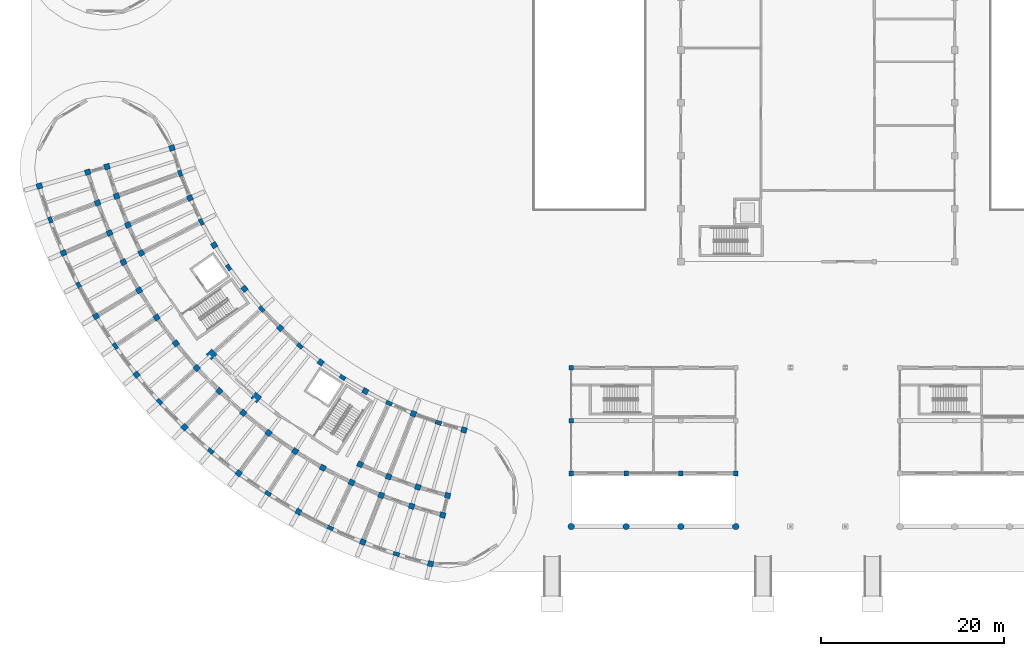
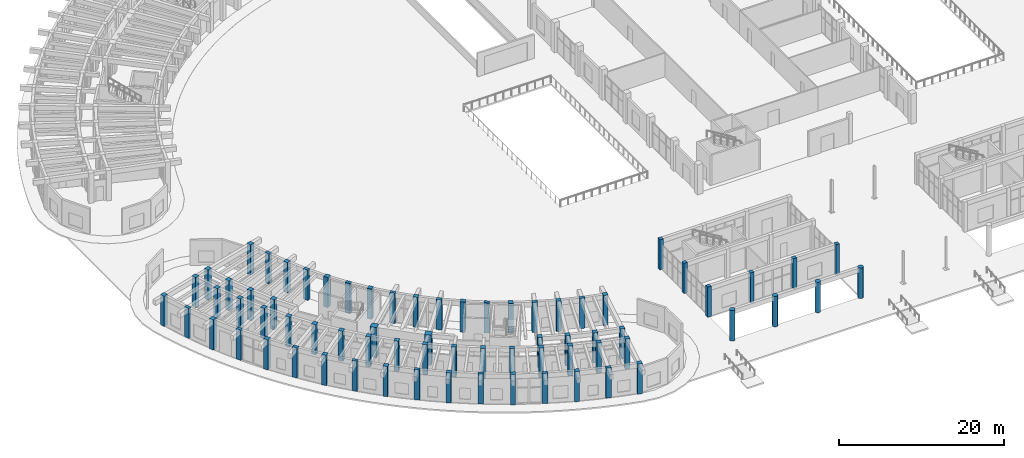
# One storey, part 1 of 132: 71 columns.
"""IFC4 building model written with IfcOpenShell, lengths in metres."""

import ifcopenshell
import ifcopenshell.guid

model = None  # the IFC model being written
_history = None  # IfcOwnerHistory: only IFC2X3 demands one
_inside = {}  # id of a spatial element -> (the spatial element, [elements in it])
_under = {}  # id of a project, library or spatial element -> (it, [spatial elements below it])
_declared = {}  # id of a project -> (the project, [libraries it declares])
_typed = {}  # id of a type object -> (the type object, [elements of that type])
_made_of = {}  # id of a material, layer set ... -> (it, [elements and type objects made of it])


def new_model(schema):
    """Start an empty IFC model of exactly this schema.

    Asked for "IFC4X3", IfcOpenShell would pick the latest addendum, in which some entities
    have other attributes; the version numbers below select the first issue.
    IFC2X3 requires an IfcOwnerHistory on every rooted entity: one is made here for all.
    """
    global model, _history
    if schema == "IFC4X3":
        model = ifcopenshell.file(schema_version=(4, 3, 0, 0))
    else:
        model = ifcopenshell.file(schema=schema)
    _inside.clear()
    _under.clear()
    _declared.clear()
    _typed.clear()
    _made_of.clear()
    _history = None
    if model.schema == "IFC2X3":
        org = make("IfcOrganization", Name="unknown")
        user = make(
            "IfcPersonAndOrganization",
            ThePerson=make("IfcPerson", FamilyName="unknown"),
            TheOrganization=org,
        )
        app = make(
            "IfcApplication",
            ApplicationDeveloper=org,
            Version="unknown",
            ApplicationFullName="unknown",
            ApplicationIdentifier="unknown",
        )
        _history = make(
            "IfcOwnerHistory",
            OwningUser=user,
            OwningApplication=app,
            ChangeAction="ADDED",
            CreationDate=0,
        )
    return model


def make(cls, **values):
    """One entity of the class cls with the attributes given. An attribute that is None is left unset."""
    return model.create_entity(
        cls, **{name: value for name, value in values.items() if value is not None}
    )


def rooted(cls, **values):
    """An entity with a GlobalId (a new one), such as an element, a storey or a relation."""
    return make(cls, GlobalId=ifcopenshell.guid.new(), OwnerHistory=_history, **values)


def si_unit(unit_type, name, prefix=None):
    """IfcSIUnit, for example si_unit("LENGTHUNIT", "METRE", prefix="MILLI")."""
    return make("IfcSIUnit", UnitType=unit_type, Prefix=prefix, Name=name)


def assignment(units):
    """IfcUnitAssignment: the units of a project."""
    return None if units is None else make("IfcUnitAssignment", Units=units)


def point(xyz):
    """IfcCartesianPoint."""
    return None if xyz is None else make("IfcCartesianPoint", Coordinates=xyz)


def direction(xyz):
    """IfcDirection."""
    return None if xyz is None else make("IfcDirection", DirectionRatios=xyz)


def frame(location, z_axis=None, x_axis=None):
    """IfcAxis2Placement3D, a coordinate frame: its origin and axes. An axis left out is left unset."""
    return make(
        "IfcAxis2Placement3D",
        Location=point(location),
        Axis=direction(z_axis),
        RefDirection=direction(x_axis),
    )


def frame_2d(location, x_axis=None):
    """IfcAxis2Placement2D, a coordinate frame in the plane: its origin and x axis."""
    return make(
        "IfcAxis2Placement2D", Location=point(location), RefDirection=direction(x_axis)
    )


def origin():
    """The frame at (0, 0, 0) with its axes left unset."""
    return frame((0.0, 0.0, 0.0))


def origin_2d():
    """The frame at (0, 0) in the plane with its x axis left unset."""
    return frame_2d((0.0, 0.0))


def place(relative_to, where):
    """IfcLocalPlacement: puts the frame where relative to a parent placement (None: the world)."""
    return make(
        "IfcLocalPlacement", PlacementRelTo=relative_to, RelativePlacement=where
    )


def context(
    kind, dimensions, precision=None, world=None, true_north=None, identifier=None
):
    """IfcGeometricRepresentationContext, for example the 3D "Model" context."""
    return make(
        "IfcGeometricRepresentationContext",
        ContextIdentifier=identifier,
        ContextType=kind,
        CoordinateSpaceDimension=dimensions,
        Precision=precision,
        WorldCoordinateSystem=world,
        TrueNorth=true_north,
    )


def subcontext(parent, identifier, kind, view, scale=None):
    """IfcGeometricRepresentationSubContext, for example "Body" below "Model"."""
    return make(
        "IfcGeometricRepresentationSubContext",
        ContextIdentifier=identifier,
        ContextType=kind,
        ParentContext=parent,
        TargetScale=scale,
        TargetView=view,
    )


def project(units=None, contexts=None):
    """IfcProject with its units and contexts."""
    return rooted(
        "IfcProject",
        Name="project",
        RepresentationContexts=contexts,
        UnitsInContext=assignment(units),
    )


def spatial(cls, under=None, at=None, **own):
    """A site, building, storey or space (cls), placed at a placement, below another one or the project."""
    s = rooted(cls, ObjectPlacement=at, **own)
    if under is not None:
        _under.setdefault(under.id(), (under, []))[1].append(s)
    return s


def profile(cls, at=None, kind="AREA", **sizes):
    """A parametric profile (cls). Its sizes go by their IFC names, for example OverallWidth=200.0."""
    return make(cls, ProfileType=kind, Position=at, **sizes)


def rectangle(**sizes):
    """IfcRectangleProfileDef."""
    return profile("IfcRectangleProfileDef", **sizes)


def circle(**sizes):
    """IfcCircleProfileDef."""
    return profile("IfcCircleProfileDef", **sizes)


def extrude(swept, where, along, depth):
    """IfcExtrudedAreaSolid: the profile swept, set in the frame where, extruded along a direction by depth."""
    return make(
        "IfcExtrudedAreaSolid",
        SweptArea=swept,
        Position=where,
        ExtrudedDirection=direction(along),
        Depth=depth,
    )


def shape(context_of_items, identifier, shape_type, items):
    """IfcShapeRepresentation: the items that make up one representation, for example the "Body"."""
    return make(
        "IfcShapeRepresentation",
        ContextOfItems=context_of_items,
        RepresentationIdentifier=identifier,
        RepresentationType=shape_type,
        Items=items,
    )


def material(Name=None, Category=None):
    """IfcMaterial."""
    return make("IfcMaterial", Name=Name, Category=Category)


def material_profile(
    of_material, cross_section, Name=None, Category=None, Priority=None
):
    """IfcMaterialProfile: a cross section and its material."""
    return make(
        "IfcMaterialProfile",
        Name=Name,
        Material=of_material,
        Profile=cross_section,
        Priority=Priority,
        Category=Category,
    )


def profile_set(profiles, Name=None, composite=None):
    """IfcMaterialProfileSet."""
    return make(
        "IfcMaterialProfileSet",
        Name=Name,
        MaterialProfiles=profiles,
        CompositeProfile=composite,
    )


def made_of(thing, what):
    """Note that an element or type object is made of a material, layer set ...; save() writes the relation."""
    if what is not None:
        _made_of.setdefault(what.id(), (what, []))[1].append(thing)
    return thing


def type_object(cls, material=None, **own):
    """A type object (cls), such as IfcWallType, which elements share."""
    return made_of(rooted(cls, **own), material)


def element(
    cls,
    number,
    at=None,
    inside=None,
    cuts=None,
    type_object=None,
    material=None,
    context=None,
    identifier="Body",
    shape_type=None,
    held_by="IfcProductDefinitionShape",
    body=None,
    shapes=None,
    **own,
):
    """One element of the class cls, such as IfcWall. Its Tag is "e" and its number.

    at: its placement. inside: the storey or other place that contains it. cuts: it is an
    opening in that element (IfcRelVoidsElement). A single representation is given by context,
    identifier, shape_type and body (its items); several are given by shapes. held_by: the class
    of the entity that holds the representations. save() writes the other relations.
    """
    e = rooted(cls, Tag="e%d" % number, ObjectPlacement=at, **own)
    if body is not None:
        shapes = [shape(context, identifier, shape_type, body)]
    if shapes is not None:
        e.Representation = make(held_by, Representations=shapes)
    if inside is not None:
        _inside.setdefault(inside.id(), (inside, []))[1].append(e)
    if cuts is not None:
        rooted(
            "IfcRelVoidsElement", RelatingBuildingElement=cuts, RelatedOpeningElement=e
        )
    if type_object is not None:
        _typed.setdefault(type_object.id(), (type_object, []))[1].append(e)
    return made_of(e, material)


def aggregate(whole, parts):
    """IfcRelAggregates: a whole, such as a stair, and the parts it consists of."""
    return rooted("IfcRelAggregates", RelatingObject=whole, RelatedObjects=parts)


def save(model, path):
    """Write the relations noted so far, then the file.

    IfcRelAggregates (storeys below a building ...), IfcRelContainedInSpatialStructure (elements
    in a storey), IfcRelDefinesByType, IfcRelAssociatesMaterial and IfcRelDeclares: one each for
    every whole, place, type object, material and project.
    """
    for whole, parts in _under.values():
        aggregate(whole, parts)
    for where, things in _inside.values():
        rooted(
            "IfcRelContainedInSpatialStructure",
            RelatedElements=things,
            RelatingStructure=where,
        )
    for kind, things in _typed.values():
        rooted("IfcRelDefinesByType", RelatedObjects=things, RelatingType=kind)
    for what, things in _made_of.values():
        rooted("IfcRelAssociatesMaterial", RelatedObjects=things, RelatingMaterial=what)
    for by, libraries in _declared.values():
        rooted("IfcRelDeclares", RelatingContext=by, RelatedDefinitions=libraries)
    model.write(path)


model = new_model("IFC4")

# Units and contexts
model_context = context("Model", 3, precision=1e-05, world=origin(), true_north=direction((0.0, 1.0)))
body_context = subcontext(model_context, "Body", "Model", "MODEL_VIEW")
ifc_project = project(units=[si_unit("LENGTHUNIT", "METRE"), si_unit("AREAUNIT", "SQUARE_METRE"), si_unit("VOLUMEUNIT", "CUBIC_METRE"), si_unit("PLANEANGLEUNIT", "RADIAN"), si_unit("MASSUNIT", "GRAM", prefix="KILO")], contexts=[model_context])

# Site, building, storey
site_placement = place(None, origin())
site = spatial("IfcSite", under=ifc_project, at=site_placement, CompositionType="ELEMENT")
building_placement = place(site_placement, origin())
building = spatial("IfcBuilding", under=site, at=building_placement, Name="Tanwirah Colonnade Gardens", CompositionType="ELEMENT")
storey_placement = place(building_placement, origin())
storey = spatial("IfcBuildingStorey", under=building, at=storey_placement, Name="L00", CompositionType="ELEMENT", Elevation=0.0)

# Columns
ifc_material_1 = material(Name="Precast concrete C40/50", Category="concrete")
ifc_material_profile_1 = material_profile(ifc_material_1, rectangle(XDim=0.5, YDim=0.5, at=origin_2d()), Name="PC-COL 500x500")
ifc_profile_set_1 = profile_set([ifc_material_profile_1], Name="Precast concrete C40/50")
column_type_1 = type_object("IfcColumnType", Name="C-PC500", PredefinedType="COLUMN", material=ifc_profile_set_1)
for number, where, z_axis, x_axis, name in (
    (1, (66.0, 16.60009765625, 0.0), (0.0, 0.0, 1.0), (1.0, 0.0, 0.0), "Boulevard Shops W L00 Column 0.1"),
    (2, (66.0, 22.39990234375, 0.0), (0.0, 0.0, 1.0), (1.0, 0.0, 0.0), "Boulevard Shops W L00 Column 0.2"),
    (3, (66.0, 28.199951171875, 0.0), (0.0, 0.0, 1.0), (1.0, 0.0, 0.0), "Boulevard Shops W L00 Column 0.3"),
    (4, (72.0, 16.60009765625, 0.0), (0.0, 0.0, 1.0), (1.0, 0.0, 0.0), "Boulevard Shops W L00 Column 1.1"),
    (5, (78.0, 16.60009765625, 0.0), (0.0, 0.0, 1.0), (1.0, 0.0, 0.0), "Boulevard Shops W L00 Column 2.1"),
    (6, (84.0, 16.60009765625, 0.0), (0.0, 0.0, 1.0), (1.0, 0.0, 0.0), "Boulevard Shops W L00 Column 3.1"),
):
    element("IfcColumn", number, at=place(storey_placement, frame(where, z_axis=z_axis, x_axis=x_axis)), inside=storey, type_object=column_type_1, Name=name, PredefinedType="COLUMN", context=body_context, shape_type="SweptSolid", body=[
        extrude(rectangle(XDim=0.5, YDim=0.5, at=origin_2d()), origin(), (0.0, 0.0, 1.0), 4.489990234375),
    ])
ifc_material_2 = material(Name="Precast concrete C45/55", Category="concrete")
ifc_material_profile_2 = material_profile(ifc_material_2, rectangle(XDim=0.610107421875, YDim=0.610107421875, at=origin_2d()), Name="PC-COL 610x610")
ifc_profile_set_2 = profile_set([ifc_material_profile_2], Name="Precast concrete C45/55")
column_type_2 = type_object("IfcColumnType", Name="C-PC580", PredefinedType="COLUMN", material=ifc_profile_set_2)
for number, where, z_axis, x_axis, name in (
    (7, (22.27197265625, 52.247802734375, 0.0), (0.0, 0.0, 1.0), (-0.961261695938, -0.275637355817, 0.0), "Block C L00 Column 0-R0"),
    (8, (15.15869140625, 50.208251953125, 0.0), (0.0, 0.0, 1.0), (-0.961261695938, -0.275637355817, 0.0), "Block C L00 Column 0-R1"),
    (9, (13.043701171875, 49.601806640625, 0.0), (0.0, 0.0, 1.0), (-0.961261695938, -0.275637355817, 0.0), "Block C L00 Column 0-R2"),
    (10, (7.7568359375, 48.085693359375, 0.0), (0.0, 0.0, 1.0), (-0.961261695938, -0.275637355817, 0.0), "Block C L00 Column 0-R3"),
    (11, (16.199951171875, 46.97900390625, 0.0), (0.0, 0.0, 1.0), (-0.941176015256, -0.337916718003, 0.0), "Block C L00 Column 1-R1"),
    (12, (14.12939453125, 46.235595703125, 0.0), (0.0, 0.0, 1.0), (-0.941176015256, -0.337916718003, 0.0), "Block C L00 Column 1-R2"),
    (13, (24.236572265625, 46.775634765625, 0.0), (0.0, 0.0, 1.0), (-0.917060074385, -0.398749068925, 0.0), "Block C L00 Column 2-R0"),
    (14, (17.450439453125, 43.824951171875, 0.0), (0.0, 0.0, 1.0), (-0.917060074385, -0.398749068925, 0.0), "Block C L00 Column 2-R1"),
    (15, (15.432861328125, 42.947509765625, 0.0), (0.0, 0.0, 1.0), (-0.917060074385, -0.398749068925, 0.0), "Block C L00 Column 2-R2"),
    (16, (10.38916015625, 40.75439453125, 0.0), (0.0, 0.0, 1.0), (-0.917060074385, -0.398749068925, 0.0), "Block C L00 Column 2-R3"),
    (17, (18.904541015625, 40.75927734375, 0.0), (0.0, 0.0, 1.0), (-0.889017141486, -0.457873915117, 0.0), "Block C L00 Column 3-R1"),
    (18, (16.94873046875, 39.751953125, 0.0), (0.0, 0.0, 1.0), (-0.889017141486, -0.457873915117, 0.0), "Block C L00 Column 3-R2"),
    (19, (26.89892578125, 41.6064453125, 0.0), (0.0, 0.0, 1.0), (-0.857167300702, -0.51503807491, 0.0), "Block C L00 Column 4-R0"),
    (20, (18.670166015625, 36.662109375, 0.0), (0.0, 0.0, 1.0), (-0.857167300702, -0.51503807491, 0.0), "Block C L00 Column 4-R2"),
    (21, (13.95556640625, 33.82958984375, 0.0), (0.0, 0.0, 1.0), (-0.857167300702, -0.51503807491, 0.0), "Block C L00 Column 4-R3"),
    (22, (20.590087890625, 33.691650390625, 0.0), (0.0, 0.0, 1.0), (-0.821646937942, -0.569996762596, 0.0), "Block C L00 Column 5-R2"),
    (23, (30.213134765625, 36.829345703125, 0.0), (0.0, 0.0, 1.0), (-0.782608156852, -0.622514636638, 0.0), "Block C L00 Column 6-R0"),
    (24, (22.699951171875, 30.85302734375, 0.0), (0.0, 0.0, 1.0), (-0.782608156852, -0.622514636638, 0.0), "Block C L00 Column 6-R2"),
    (25, (18.395751953125, 27.42919921875, 0.0), (0.0, 0.0, 1.0), (-0.782608156852, -0.622514636638, 0.0), "Block C L00 Column 6-R3"),
    (26, (24.9912109375, 28.15869140625, 0.0), (0.0, 0.0, 1.0), (-0.740218127487, -0.672366807435, 0.0), "Block C L00 Column 7-R2"),
    (27, (34.122314453125, 32.525390625, 0.0), (0.0, 0.0, 1.0), (-0.694658370459, -0.719339800339, 0.0), "Block C L00 Column 8-R0"),
    (28, (27.45361328125, 25.61962890625, 0.0), (0.0, 0.0, 1.0), (-0.694658370459, -0.719339800339, 0.0), "Block C L00 Column 8-R2"),
    (29, (23.633056640625, 21.663330078125, 0.0), (0.0, 0.0, 1.0), (-0.694658370459, -0.719339800339, 0.0), "Block C L00 Column 8-R3"),
    (30, (30.076904296875, 23.247314453125, 0.0), (0.0, 0.0, 1.0), (-0.646123979643, -0.763232469783, 0.0), "Block C L00 Column 9-R2"),
    (31, (38.56005859375, 28.7685546875, 0.0), (0.0, 0.0, 1.0), (-0.594822786751, -0.803856860617, 0.0), "Block C L00 Column 10-R0"),
    (32, (32.849853515625, 21.051513671875, 0.0), (0.0, 0.0, 1.0), (-0.594822786751, -0.803856860617, 0.0), "Block C L00 Column 10-R2"),
    (33, (29.578369140625, 16.63037109375, 0.0), (0.0, 0.0, 1.0), (-0.594822786751, -0.803856860617, 0.0), "Block C L00 Column 10-R3"),
    (34, (35.76025390625, 19.041748046875, 0.0), (0.0, 0.0, 1.0), (-0.540974471368, -0.841039012964, 0.0), "Block C L00 Column 11-R2"),
    (35, (43.4501953125, 25.623046875, 0.0), (0.0, 0.0, 1.0), (-0.484809620246, -0.874619707139, 0.0), "Block C L00 Column 12-R0"),
    (36, (38.796142578125, 17.226806640625, 0.0), (0.0, 0.0, 1.0), (-0.484809620246, -0.874619707139, 0.0), "Block C L00 Column 12-R2"),
    (37, (36.129638671875, 12.41650390625, 0.0), (0.0, 0.0, 1.0), (-0.484809620246, -0.874619707139, 0.0), "Block C L00 Column 12-R3"),
    (38, (42.88232421875, 17.60400390625, 0.0), (0.0, 0.0, 1.0), (-0.426568739901, -0.904455145454, 0.0), "Block C L00 Column 13-R1"),
    (39, (41.94384765625, 15.6142578125, 0.0), (0.0, 0.0, 1.0), (-0.426568739901, -0.904455145454, 0.0), "Block C L00 Column 13-R2"),
    (40, (48.708984375, 23.142822265625, 0.0), (0.0, 0.0, 1.0), (-0.366501226724, -0.930417567982, 0.0), "Block C L00 Column 14-R0"),
    (41, (45.996826171875, 16.2578125, 0.0), (0.0, 0.0, 1.0), (-0.366501226724, -0.930417567982, 0.0), "Block C L00 Column 14-R1"),
    (42, (45.190673828125, 14.2109375, 0.0), (0.0, 0.0, 1.0), (-0.366501226724, -0.930417567982, 0.0), "Block C L00 Column 14-R2"),
    (43, (43.1748046875, 9.09375, 0.0), (0.0, 0.0, 1.0), (-0.366501226724, -0.930417567982, 0.0), "Block C L00 Column 14-R3"),
    (44, (49.19287109375, 15.1181640625, 0.0), (0.0, 0.0, 1.0), (-0.304864299028, -0.952395799643, 0.0), "Block C L00 Column 15-R1"),
    (45, (48.52197265625, 13.02294921875, 0.0), (0.0, 0.0, 1.0), (-0.304864299028, -0.952395799643, 0.0), "Block C L00 Column 15-R2"),
    (46, (54.24658203125, 21.370361328125, 0.0), (0.0, 0.0, 1.0), (-0.2419218956, -0.970295726276, 0.0), "Block C L00 Column 16-R0"),
    (47, (52.456298828125, 14.190185546875, 0.0), (0.0, 0.0, 1.0), (-0.2419218956, -0.970295726276, 0.0), "Block C L00 Column 16-R1"),
    (48, (51.924072265625, 12.055419921875, 0.0), (0.0, 0.0, 1.0), (-0.2419218956, -0.970295726276, 0.0), "Block C L00 Column 16-R2"),
    (49, (50.593505859375, 6.718994140625, 0.0), (0.0, 0.0, 1.0), (-0.2419218956, -0.970295726276, 0.0), "Block C L00 Column 16-R3"),
):
    element("IfcColumn", number, at=place(storey_placement, frame(where, z_axis=z_axis, x_axis=x_axis)), inside=storey, type_object=column_type_2, Name=name, PredefinedType="COLUMN", context=body_context, shape_type="SweptSolid", body=[
        extrude(rectangle(XDim=0.610107421875, YDim=0.610107421875, at=origin_2d()), origin(), (0.0, 0.0, 1.0), 4.485107421875),
    ])
ifc_material_3 = material(Name="Concrete C50/60", Category="concrete")
ifc_material_profile_3 = material_profile(ifc_material_3, rectangle(XDim=0.85009765625, YDim=0.85009765625, at=origin_2d()), Name="RC-COL 850x850")
ifc_profile_set_3 = profile_set([ifc_material_profile_3], Name="Concrete C50/60")
column_type_3 = type_object("IfcColumnType", Name="C-RC850", PredefinedType="COLUMN", material=ifc_profile_set_3)
for number, where, z_axis, x_axis, name in (
    (50, (26.61962890625, 29.6376953125, 0.0), (0.0, 0.0, 1.0), (-0.740218127487, -0.672366807435, 0.0), "Block C L00 Column 7-R1"),
    (51, (31.49853515625, 24.926513671875, 0.0), (0.0, 0.0, 1.0), (-0.646123979643, -0.763232469783, 0.0), "Block C L00 Column 9-R1"),
):
    element("IfcColumn", number, at=place(storey_placement, frame(where, z_axis=z_axis, x_axis=x_axis)), inside=storey, type_object=column_type_3, Name=name, PredefinedType="COLUMN", context=body_context, shape_type="SweptSolid", body=[
        extrude(rectangle(XDim=0.85009765625, YDim=0.85009765625, at=origin_2d()), origin(), (0.0, 0.0, 1.0), 4.485107421875),
    ])
ifc_material_profile_4 = material_profile(ifc_material_2, circle(Radius=0.35009765625, at=origin_2d()), Name="PC-DCOL D700")
ifc_profile_set_4 = profile_set([ifc_material_profile_4], Name="Precast concrete C45/55")
column_type_4 = type_object("IfcColumnType", Name="DCOL-700", PredefinedType="COLUMN", material=ifc_profile_set_4)
for number, where, z_axis, x_axis, name in (
    (52, (66.0, 10.800048828125, 0.0), (0.0, 0.0, 1.0), (1.0, 0.0, 0.0), "Boulevard Shops W L00 Column 0.0"),
    (53, (72.0, 10.800048828125, 0.0), (0.0, 0.0, 1.0), (1.0, 0.0, 0.0), "Boulevard Shops W L00 Column 1.0"),
    (54, (78.0, 10.800048828125, 0.0), (0.0, 0.0, 1.0), (1.0, 0.0, 0.0), "Boulevard Shops W L00 Column 2.0"),
    (55, (84.0, 10.800048828125, 0.0), (0.0, 0.0, 1.0), (1.0, 0.0, 0.0), "Boulevard Shops W L00 Column 3.0"),
):
    element("IfcColumn", number, at=place(storey_placement, frame(where, z_axis=z_axis, x_axis=x_axis)), inside=storey, type_object=column_type_4, Name=name, PredefinedType="COLUMN", context=body_context, shape_type="SweptSolid", body=[
        extrude(circle(Radius=0.35009765625, at=origin_2d()), origin(), (0.0, 0.0, 1.0), 4.530029296875),
    ])
ifc_material_profile_5 = material_profile(ifc_material_2, rectangle(XDim=0.429931640625, YDim=0.68994140625, at=origin_2d()), Name="PC-PIL 430x690")
ifc_profile_set_5 = profile_set([ifc_material_profile_5], Name="Precast concrete C45/55")
column_type_5 = type_object("IfcColumnType", Name="PIL-400", PredefinedType="PILASTER", material=ifc_profile_set_5)
for number, where, z_axis, x_axis, name in (
    (56, (23.164794921875, 49.4794921875, 0.0), (0.0, 0.0, 1.0), (-0.941176015256, -0.337916718003, 0.0), "Block C L00 Column 1-R0"),
    (57, (8.952880859375, 44.376953125, 0.0), (0.0, 0.0, 1.0), (-0.941176015256, -0.337916718003, 0.0), "Block C L00 Column 1-R3"),
    (58, (25.483154296875, 44.1474609375, 0.0), (0.0, 0.0, 1.0), (-0.889017141486, -0.457873915117, 0.0), "Block C L00 Column 3-R0"),
    (59, (12.05908203125, 37.233642578125, 0.0), (0.0, 0.0, 1.0), (-0.889017141486, -0.457873915117, 0.0), "Block C L00 Column 3-R3"),
    (60, (28.477783203125, 39.16357421875, 0.0), (0.0, 0.0, 1.0), (-0.821646937942, -0.569996762596, 0.0), "Block C L00 Column 5-R0"),
    (61, (16.071044921875, 30.556640625, 0.0), (0.0, 0.0, 1.0), (-0.821646937942, -0.569996762596, 0.0), "Block C L00 Column 5-R3"),
    (62, (32.097412109375, 34.61328125, 0.0), (0.0, 0.0, 1.0), (-0.740218127487, -0.672366807435, 0.0), "Block C L00 Column 7-R0"),
    (63, (20.919921875, 24.46044921875, 0.0), (0.0, 0.0, 1.0), (-0.740218127487, -0.672366807435, 0.0), "Block C L00 Column 7-R3"),
    (64, (36.27978515625, 30.57421875, 0.0), (0.0, 0.0, 1.0), (-0.646123979643, -0.763232469783, 0.0), "Block C L00 Column 9-R0"),
    (65, (26.5234375, 19.049560546875, 0.0), (0.0, 0.0, 1.0), (-0.646123979643, -0.763232469783, 0.0), "Block C L00 Column 9-R3"),
    (66, (40.95361328125, 27.11572265625, 0.0), (0.0, 0.0, 1.0), (-0.540974471368, -0.841039012964, 0.0), "Block C L00 Column 11-R0"),
    (67, (32.784912109375, 14.416015625, 0.0), (0.0, 0.0, 1.0), (-0.540974471368, -0.841039012964, 0.0), "Block C L00 Column 11-R3"),
    (68, (46.0390625, 24.296875, 0.0), (0.0, 0.0, 1.0), (-0.426568739901, -0.904455145454, 0.0), "Block C L00 Column 13-R0"),
    (69, (39.597900390625, 10.6396484375, 0.0), (0.0, 0.0, 1.0), (-0.426568739901, -0.904455145454, 0.0), "Block C L00 Column 13-R3"),
    (70, (51.44873046875, 22.166015625, 0.0), (0.0, 0.0, 1.0), (-0.304864299028, -0.952395799643, 0.0), "Block C L00 Column 15-R0"),
    (71, (46.84521484375, 7.784912109375, 0.0), (0.0, 0.0, 1.0), (-0.304864299028, -0.952395799643, 0.0), "Block C L00 Column 15-R3"),
):
    element("IfcColumn", number, at=place(storey_placement, frame(where, z_axis=z_axis, x_axis=x_axis)), inside=storey, type_object=column_type_5, Name=name, PredefinedType="PILASTER", context=body_context, shape_type="SweptSolid", body=[
        extrude(rectangle(XDim=0.429931640625, YDim=0.68994140625, at=origin_2d()), origin(), (0.0, 0.0, 1.0), 4.485107421875),
    ])

save(model, "model.ifc")
